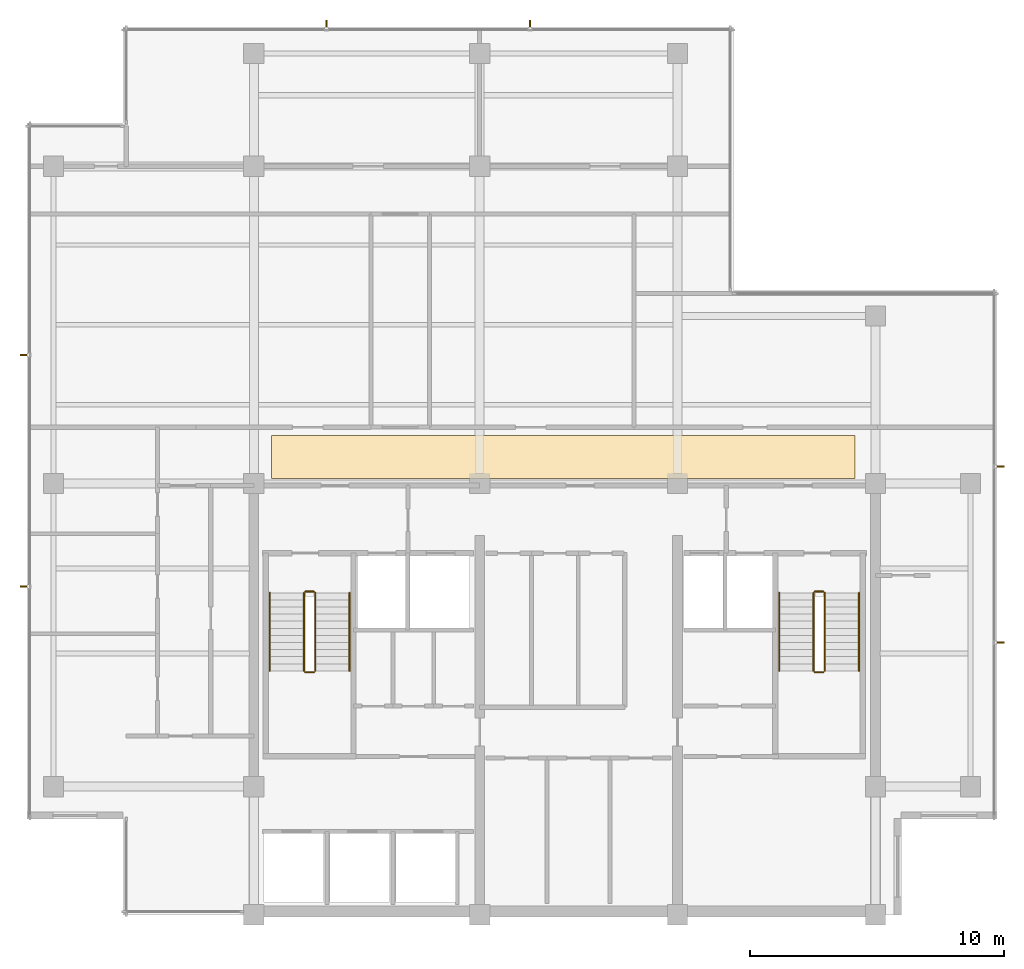
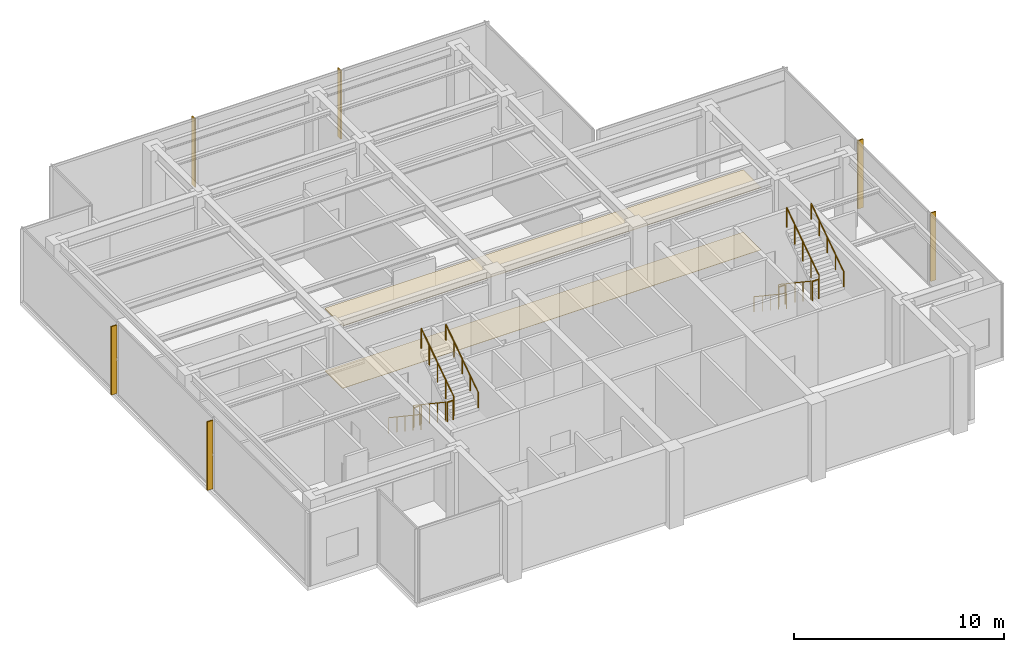
# One storey, part 11 of 11: 12 railings, 6 shading devices, 2 coverings.
"""IFC4 building model written with IfcOpenShell, lengths in metres."""

from ifc_helpers import new_model, si_unit, direction, frame, origin, origin_2d, place, context, subcontext, project, spatial, polyline, circle, outline, extrude, material, layer, layer_set, type_object, element, save


model = new_model("IFC4")

# Units and contexts
model_context = context("Model", 3, precision=1e-05, world=origin(), true_north=direction((0.0, 1.0)))
body_context = subcontext(model_context, "Body", "Model", "MODEL_VIEW")
ifc_project = project(units=[si_unit("LENGTHUNIT", "METRE"), si_unit("AREAUNIT", "SQUARE_METRE"), si_unit("VOLUMEUNIT", "CUBIC_METRE"), si_unit("PLANEANGLEUNIT", "RADIAN"), si_unit("MASSUNIT", "GRAM", prefix="KILO")], contexts=[model_context])

# Site, building, storey
site_placement = place(None, origin())
site = spatial("IfcSite", under=ifc_project, at=site_placement, CompositionType="ELEMENT")
building_placement = place(site_placement, origin())
building = spatial("IfcBuilding", under=site, at=building_placement, Name="Qalmaran Belvedere Hotel", CompositionType="ELEMENT")
storey_placement = place(building_placement, frame((0.0, 0.0, 280.89990234375)))
storey = spatial("IfcBuildingStorey", under=building, at=storey_placement, Name="L73", CompositionType="ELEMENT", Elevation=280.89990234375)

# Covering
ifc_material_1 = material(Name="Acoustic Mineral Ceiling")
ifc_layer_1 = layer(ifc_material_1, 0.0400390625, Name="Acoustic Mineral Ceiling")
ifc_layer_set_1 = layer_set([ifc_layer_1], Name="Acoustic Mineral Ceiling")
covering_type_1 = type_object("IfcCoveringType", Name="CLG-ACOUSTIC-40", PredefinedType="CEILING", material=ifc_layer_set_1)
covering_1_placement = place(storey_placement, frame((0.0, 0.0, 3.610107421875)))
element("IfcCovering", 1, at=covering_1_placement, inside=storey, type_object=covering_type_1, Name="L73 Acoustic Corridor Ceiling", PredefinedType="CEILING", context=body_context, shape_type="SweptSolid", body=[
    extrude(outline(polyline([(21.0, 20.699951171875), (44.0, 20.699951171875), (44.0, 22.39990234375), (21.0, 22.39990234375), (21.0, 20.699951171875)])), origin(), (0.0, 0.0, 1.0), 0.0400390625),
])

# Shading devices
ifc_material_2 = material(Name="Anodised Bronze Aluminium", Category="aluminium")
ifc_layer_2 = layer(ifc_material_2, 0.06494140625, Name="Anodised Bronze Aluminium")
ifc_layer_set_2 = layer_set([ifc_layer_2], Name="Anodised Bronze Aluminium")
shading_device_type = type_object("IfcShadingDeviceType", Name="FIN-BRNZ-300", PredefinedType="USERDEFINED", material=ifc_layer_set_2)
shading_device_1_placement = place(storey_placement, frame((0.0, 0.0, 0.16015625)))
element("IfcShadingDevice", 2, at=shading_device_1_placement, inside=storey, type_object=shading_device_type, Name="L73 Bronze Fin 1", ObjectType="FIN", PredefinedType="USERDEFINED", context=body_context, shape_type="SweptSolid", body=[
    extrude(outline(polyline([(49.5673828125, 14.20068359375), (49.867431640625, 14.20068359375), (49.867431640625, 14.265869140625), (49.5673828125, 14.265869140625), (49.5673828125, 14.20068359375)])), origin(), (0.0, 0.0, 1.0), 3.97998046875),
])
shading_device_2_placement = place(storey_placement, frame((0.0, 0.0, 0.16015625)))
element("IfcShadingDevice", 3, at=shading_device_2_placement, inside=storey, type_object=shading_device_type, Name="L73 Bronze Fin 2", ObjectType="FIN", PredefinedType="USERDEFINED", context=body_context, shape_type="SweptSolid", body=[
    extrude(outline(polyline([(49.5673828125, 21.13427734375), (49.867431640625, 21.13427734375), (49.867431640625, 21.19921875), (49.5673828125, 21.19921875), (49.5673828125, 21.13427734375)])), origin(), (0.0, 0.0, 1.0), 3.97998046875),
])
shading_device_3_placement = place(storey_placement, frame((0.0, 0.0, 0.16015625)))
element("IfcShadingDevice", 4, at=shading_device_3_placement, inside=storey, type_object=shading_device_type, Name="L73 Bronze Fin 1", ObjectType="FIN", PredefinedType="USERDEFINED", context=body_context, shape_type="SweptSolid", body=[
    extrude(outline(polyline([(31.2158203125, 38.467529296875), (31.2158203125, 38.767578125), (31.15087890625, 38.767578125), (31.15087890625, 38.467529296875), (31.2158203125, 38.467529296875)])), origin(), (0.0, 0.0, 1.0), 3.97998046875),
])
shading_device_4_placement = place(storey_placement, frame((0.0, 0.0, 0.16015625)))
element("IfcShadingDevice", 5, at=shading_device_4_placement, inside=storey, type_object=shading_device_type, Name="L73 Bronze Fin 2", ObjectType="FIN", PredefinedType="USERDEFINED", context=body_context, shape_type="SweptSolid", body=[
    extrude(outline(polyline([(23.19921875, 38.467529296875), (23.19921875, 38.767578125), (23.13427734375, 38.767578125), (23.13427734375, 38.467529296875), (23.19921875, 38.467529296875)])), origin(), (0.0, 0.0, 1.0), 3.97998046875),
])
shading_device_5_placement = place(storey_placement, frame((0.0, 0.0, 0.16015625)))
element("IfcShadingDevice", 6, at=shading_device_5_placement, inside=storey, type_object=shading_device_type, Name="L73 Bronze Fin 1", ObjectType="FIN", PredefinedType="USERDEFINED", context=body_context, shape_type="SweptSolid", body=[
    extrude(outline(polyline([(11.382568359375, 25.59912109375), (11.08251953125, 25.59912109375), (11.08251953125, 25.5341796875), (11.382568359375, 25.5341796875), (11.382568359375, 25.59912109375)])), origin(), (0.0, 0.0, 1.0), 3.97998046875),
])
shading_device_6_placement = place(storey_placement, frame((0.0, 0.0, 0.16015625)))
element("IfcShadingDevice", 7, at=shading_device_6_placement, inside=storey, type_object=shading_device_type, Name="L73 Bronze Fin 2", ObjectType="FIN", PredefinedType="USERDEFINED", context=body_context, shape_type="SweptSolid", body=[
    extrude(outline(polyline([(11.382568359375, 16.4658203125), (11.08251953125, 16.4658203125), (11.08251953125, 16.40087890625), (11.382568359375, 16.40087890625), (11.382568359375, 16.4658203125)])), origin(), (0.0, 0.0, 1.0), 3.97998046875),
])

# Covering
ifc_material_3 = material(Name="Polished Stone Terrazzo", Category="masonry")
ifc_layer_3 = layer(ifc_material_3, 0.01806640625, Name="Polished Stone Terrazzo")
ifc_layer_set_3 = layer_set([ifc_layer_3], Name="Polished Stone Terrazzo")
covering_type_2 = type_object("IfcCoveringType", Name="FIN-TERRAZZO-18", PredefinedType="FLOORING", material=ifc_layer_set_3)
covering_2_placement = place(storey_placement, frame((0.0, 0.0, 0.002197265625)))
element("IfcCovering", 8, at=covering_2_placement, inside=storey, type_object=covering_type_2, Name="L73 Limestone Corridor Flooring", PredefinedType="FLOORING", context=body_context, shape_type="SweptSolid", body=[
    extrude(outline(polyline([(21.0, 20.699951171875), (44.0, 20.699951171875), (44.0, 22.39990234375), (21.0, 22.39990234375), (21.0, 20.699951171875)])), origin(), (0.0, 0.0, 1.0), 0.017822265625),
])

# Railings
ifc_material_4 = material(Name="Stainless Steel 1.4401", Category="steel")
railing_type_1 = type_object("IfcRailingType", Name="RLG-STAIR-GUARD-1150", PredefinedType="GUARDRAIL", material=ifc_material_4)
railing_1_placement = place(storey_placement, frame((22.280029296875, 16.18994140625, 0.1875)))
element("IfcRailing", 9, at=railing_1_placement, inside=storey, type_object=railing_type_1, Name="L73 ST-1 stair guard 1", PredefinedType="GUARDRAIL", context=body_context, shape_type="SweptSolid", body=[
    extrude(circle(Radius=0.02392578125, at=origin_2d()), frame((0.0, 0.0, 1.1259765625), z_axis=(0.0, -0.830893310487, 0.556431762742), x_axis=(1.0, 0.0, 0.0)), (0.0, 0.0, 1.0), 3.70654296875),
    extrude(circle(Radius=0.02099609375, at=origin_2d()), origin(), (0.0, 0.0, 1.0), 1.101806640625),
    extrude(circle(Radius=0.02099609375, at=origin_2d()), frame((0.0, -0.77001953125, 0.515625)), (0.0, 0.0, 1.0), 1.101806640625),
    extrude(circle(Radius=0.02099609375, at=origin_2d()), frame((0.0, -1.5400390625, 1.03125)), (0.0, 0.0, 1.0), 1.101806640625),
    extrude(circle(Radius=0.02099609375, at=origin_2d()), frame((0.0, -2.309814453125, 1.546875)), (0.0, 0.0, 1.0), 1.101806640625),
    extrude(circle(Radius=0.02099609375, at=origin_2d()), frame((0.0, -3.079833984375, 2.0625)), (0.0, 0.0, 1.0), 1.101806640625),
])
railing_2_placement = place(storey_placement, frame((22.330078125, 13.06005859375, 2.25)))
element("IfcRailing", 10, at=railing_2_placement, inside=storey, type_object=railing_type_1, Name="L73 ST-1 stair guard 2", PredefinedType="GUARDRAIL", context=body_context, shape_type="SweptSolid", body=[
    extrude(circle(Radius=0.02392578125, at=origin_2d()), frame((0.0, 0.0, 1.1259765625), z_axis=(1.0, 0.0, 0.0), x_axis=(0.0, 1.0, 0.0)), (0.0, 0.0, 1.0), 0.33984375),
    extrude(circle(Radius=0.02099609375, at=origin_2d()), origin(), (0.0, 0.0, 1.0), 1.101806640625),
    extrude(circle(Radius=0.02099609375, at=origin_2d()), frame((0.33984375, 0.0, 0.0)), (0.0, 0.0, 1.0), 1.101806640625),
])
railing_3_placement = place(storey_placement, frame((22.719970703125, 13.110107421875, 2.4375)))
element("IfcRailing", 11, at=railing_3_placement, inside=storey, type_object=railing_type_1, Name="L73 ST-1 stair guard 3", PredefinedType="GUARDRAIL", context=body_context, shape_type="SweptSolid", body=[
    extrude(circle(Radius=0.02392578125, at=origin_2d()), frame((0.0, 0.0, 1.1259765625), z_axis=(0.0, 0.830893310487, 0.556431762742), x_axis=(-1.0, 0.0, 0.0)), (0.0, 0.0, 1.0), 3.70654296875),
    extrude(circle(Radius=0.02099609375, at=origin_2d()), origin(), (0.0, 0.0, 1.0), 1.101806640625),
    extrude(circle(Radius=0.02099609375, at=origin_2d()), frame((0.0, 0.77001953125, 0.515625)), (0.0, 0.0, 1.0), 1.101806640625),
    extrude(circle(Radius=0.02099609375, at=origin_2d()), frame((0.0, 1.5400390625, 1.03125)), (0.0, 0.0, 1.0), 1.101806640625),
    extrude(circle(Radius=0.02099609375, at=origin_2d()), frame((0.0, 2.309814453125, 1.546875)), (0.0, 0.0, 1.0), 1.101806640625),
    extrude(circle(Radius=0.02099609375, at=origin_2d()), frame((0.0, 3.079833984375, 2.0625)), (0.0, 0.0, 1.0), 1.101806640625),
])
railing_4_placement = place(storey_placement, frame((22.330078125, 16.239990234375, 0.0)))
element("IfcRailing", 12, at=railing_4_placement, inside=storey, type_object=railing_type_1, Name="L73 ST-1 stair guard 4", PredefinedType="GUARDRAIL", context=body_context, shape_type="SweptSolid", body=[
    extrude(circle(Radius=0.02392578125, at=origin_2d()), frame((0.0, 0.0, 1.1259765625), z_axis=(1.0, 0.0, 0.0), x_axis=(0.0, 1.0, 0.0)), (0.0, 0.0, 1.0), 0.33984375),
    extrude(circle(Radius=0.02099609375, at=origin_2d()), origin(), (0.0, 0.0, 1.0), 1.101806640625),
    extrude(circle(Radius=0.02099609375, at=origin_2d()), frame((0.33984375, 0.0, 0.0)), (0.0, 0.0, 1.0), 1.101806640625),
])
railing_5_placement = place(storey_placement, frame((42.360107421875, 16.18994140625, 0.1875)))
element("IfcRailing", 13, at=railing_5_placement, inside=storey, type_object=railing_type_1, Name="L73 ST-2 stair guard 1", PredefinedType="GUARDRAIL", context=body_context, shape_type="SweptSolid", body=[
    extrude(circle(Radius=0.02392578125, at=origin_2d()), frame((0.0, 0.0, 1.1259765625), z_axis=(0.0, -0.830893310487, 0.556431762742), x_axis=(1.0, 0.0, 0.0)), (0.0, 0.0, 1.0), 3.70654296875),
    extrude(circle(Radius=0.02099609375, at=origin_2d()), origin(), (0.0, 0.0, 1.0), 1.101806640625),
    extrude(circle(Radius=0.02099609375, at=origin_2d()), frame((0.0, -0.77001953125, 0.515625)), (0.0, 0.0, 1.0), 1.101806640625),
    extrude(circle(Radius=0.02099609375, at=origin_2d()), frame((0.0, -1.5400390625, 1.03125)), (0.0, 0.0, 1.0), 1.101806640625),
    extrude(circle(Radius=0.02099609375, at=origin_2d()), frame((0.0, -2.309814453125, 1.546875)), (0.0, 0.0, 1.0), 1.101806640625),
    extrude(circle(Radius=0.02099609375, at=origin_2d()), frame((0.0, -3.079833984375, 2.0625)), (0.0, 0.0, 1.0), 1.101806640625),
])
railing_6_placement = place(storey_placement, frame((42.409912109375, 13.06005859375, 2.25)))
element("IfcRailing", 14, at=railing_6_placement, inside=storey, type_object=railing_type_1, Name="L73 ST-2 stair guard 2", PredefinedType="GUARDRAIL", context=body_context, shape_type="SweptSolid", body=[
    extrude(circle(Radius=0.02392578125, at=origin_2d()), frame((0.0, 0.0, 1.1259765625), z_axis=(1.0, 0.0, 0.0), x_axis=(0.0, 1.0, 0.0)), (0.0, 0.0, 1.0), 0.340087890625),
    extrude(circle(Radius=0.02099609375, at=origin_2d()), origin(), (0.0, 0.0, 1.0), 1.101806640625),
    extrude(circle(Radius=0.02099609375, at=origin_2d()), frame((0.340087890625, 0.0, 0.0)), (0.0, 0.0, 1.0), 1.101806640625),
])
railing_7_placement = place(storey_placement, frame((42.800048828125, 13.110107421875, 2.4375)))
element("IfcRailing", 15, at=railing_7_placement, inside=storey, type_object=railing_type_1, Name="L73 ST-2 stair guard 3", PredefinedType="GUARDRAIL", context=body_context, shape_type="SweptSolid", body=[
    extrude(circle(Radius=0.02392578125, at=origin_2d()), frame((0.0, 0.0, 1.1259765625), z_axis=(0.0, 0.830893310487, 0.556431762742), x_axis=(-1.0, 0.0, 0.0)), (0.0, 0.0, 1.0), 3.70654296875),
    extrude(circle(Radius=0.02099609375, at=origin_2d()), origin(), (0.0, 0.0, 1.0), 1.101806640625),
    extrude(circle(Radius=0.02099609375, at=origin_2d()), frame((0.0, 0.77001953125, 0.515625)), (0.0, 0.0, 1.0), 1.101806640625),
    extrude(circle(Radius=0.02099609375, at=origin_2d()), frame((0.0, 1.5400390625, 1.03125)), (0.0, 0.0, 1.0), 1.101806640625),
    extrude(circle(Radius=0.02099609375, at=origin_2d()), frame((0.0, 2.309814453125, 1.546875)), (0.0, 0.0, 1.0), 1.101806640625),
    extrude(circle(Radius=0.02099609375, at=origin_2d()), frame((0.0, 3.079833984375, 2.0625)), (0.0, 0.0, 1.0), 1.101806640625),
])
railing_8_placement = place(storey_placement, frame((42.409912109375, 16.239990234375, 0.0)))
element("IfcRailing", 16, at=railing_8_placement, inside=storey, type_object=railing_type_1, Name="L73 ST-2 stair guard 4", PredefinedType="GUARDRAIL", context=body_context, shape_type="SweptSolid", body=[
    extrude(circle(Radius=0.02392578125, at=origin_2d()), frame((0.0, 0.0, 1.1259765625), z_axis=(1.0, 0.0, 0.0), x_axis=(0.0, 1.0, 0.0)), (0.0, 0.0, 1.0), 0.340087890625),
    extrude(circle(Radius=0.02099609375, at=origin_2d()), origin(), (0.0, 0.0, 1.0), 1.101806640625),
    extrude(circle(Radius=0.02099609375, at=origin_2d()), frame((0.340087890625, 0.0, 0.0)), (0.0, 0.0, 1.0), 1.101806640625),
])
railing_type_2 = type_object("IfcRailingType", Name="RLG-STAIR-HAND-910", PredefinedType="HANDRAIL", material=ifc_material_4)
railing_9_placement = place(storey_placement, frame((20.929931640625, 16.18994140625, 0.1875)))
element("IfcRailing", 17, at=railing_9_placement, inside=storey, type_object=railing_type_2, Name="L73 ST-1 stair handrail 1", PredefinedType="HANDRAIL", context=body_context, shape_type="SweptSolid", body=[
    extrude(circle(Radius=0.02392578125, at=origin_2d()), frame((0.0, 0.0, 0.8857421875), z_axis=(0.0, -0.830893310487, 0.556431762742), x_axis=(1.0, 0.0, 0.0)), (0.0, 0.0, 1.0), 3.70654296875),
    extrude(circle(Radius=0.02099609375, at=origin_2d()), origin(), (0.0, 0.0, 1.0), 0.86181640625),
    extrude(circle(Radius=0.02099609375, at=origin_2d()), frame((0.0, -0.77001953125, 0.515625)), (0.0, 0.0, 1.0), 0.86181640625),
    extrude(circle(Radius=0.02099609375, at=origin_2d()), frame((0.0, -1.5400390625, 1.03125)), (0.0, 0.0, 1.0), 0.86181640625),
    extrude(circle(Radius=0.02099609375, at=origin_2d()), frame((0.0, -2.309814453125, 1.546875)), (0.0, 0.0, 1.0), 0.86181640625),
    extrude(circle(Radius=0.02099609375, at=origin_2d()), frame((0.0, -3.079833984375, 2.0625)), (0.0, 0.0, 1.0), 0.86181640625),
])
railing_10_placement = place(storey_placement, frame((24.070068359375, 13.110107421875, 2.4375)))
element("IfcRailing", 18, at=railing_10_placement, inside=storey, type_object=railing_type_2, Name="L73 ST-1 stair handrail 2", PredefinedType="HANDRAIL", context=body_context, shape_type="SweptSolid", body=[
    extrude(circle(Radius=0.02392578125, at=origin_2d()), frame((0.0, 0.0, 0.8857421875), z_axis=(0.0, 0.830893310487, 0.556431762742), x_axis=(-1.0, 0.0, 0.0)), (0.0, 0.0, 1.0), 3.70654296875),
    extrude(circle(Radius=0.02099609375, at=origin_2d()), origin(), (0.0, 0.0, 1.0), 0.86181640625),
    extrude(circle(Radius=0.02099609375, at=origin_2d()), frame((0.0, 0.77001953125, 0.515625)), (0.0, 0.0, 1.0), 0.86181640625),
    extrude(circle(Radius=0.02099609375, at=origin_2d()), frame((0.0, 1.5400390625, 1.03125)), (0.0, 0.0, 1.0), 0.86181640625),
    extrude(circle(Radius=0.02099609375, at=origin_2d()), frame((0.0, 2.309814453125, 1.546875)), (0.0, 0.0, 1.0), 0.86181640625),
    extrude(circle(Radius=0.02099609375, at=origin_2d()), frame((0.0, 3.079833984375, 2.0625)), (0.0, 0.0, 1.0), 0.86181640625),
])
railing_11_placement = place(storey_placement, frame((41.010009765625, 16.18994140625, 0.1875)))
element("IfcRailing", 19, at=railing_11_placement, inside=storey, type_object=railing_type_2, Name="L73 ST-2 stair handrail 1", PredefinedType="HANDRAIL", context=body_context, shape_type="SweptSolid", body=[
    extrude(circle(Radius=0.02392578125, at=origin_2d()), frame((0.0, 0.0, 0.8857421875), z_axis=(0.0, -0.830893310487, 0.556431762742), x_axis=(1.0, 0.0, 0.0)), (0.0, 0.0, 1.0), 3.70654296875),
    extrude(circle(Radius=0.02099609375, at=origin_2d()), origin(), (0.0, 0.0, 1.0), 0.86181640625),
    extrude(circle(Radius=0.02099609375, at=origin_2d()), frame((0.0, -0.77001953125, 0.515625)), (0.0, 0.0, 1.0), 0.86181640625),
    extrude(circle(Radius=0.02099609375, at=origin_2d()), frame((0.0, -1.5400390625, 1.03125)), (0.0, 0.0, 1.0), 0.86181640625),
    extrude(circle(Radius=0.02099609375, at=origin_2d()), frame((0.0, -2.309814453125, 1.546875)), (0.0, 0.0, 1.0), 0.86181640625),
    extrude(circle(Radius=0.02099609375, at=origin_2d()), frame((0.0, -3.079833984375, 2.0625)), (0.0, 0.0, 1.0), 0.86181640625),
])
railing_12_placement = place(storey_placement, frame((44.14990234375, 13.110107421875, 2.4375)))
element("IfcRailing", 20, at=railing_12_placement, inside=storey, type_object=railing_type_2, Name="L73 ST-2 stair handrail 2", PredefinedType="HANDRAIL", context=body_context, shape_type="SweptSolid", body=[
    extrude(circle(Radius=0.02392578125, at=origin_2d()), frame((0.0, 0.0, 0.8857421875), z_axis=(0.0, 0.830893310487, 0.556431762742), x_axis=(-1.0, 0.0, 0.0)), (0.0, 0.0, 1.0), 3.70654296875),
    extrude(circle(Radius=0.02099609375, at=origin_2d()), origin(), (0.0, 0.0, 1.0), 0.86181640625),
    extrude(circle(Radius=0.02099609375, at=origin_2d()), frame((0.0, 0.77001953125, 0.515625)), (0.0, 0.0, 1.0), 0.86181640625),
    extrude(circle(Radius=0.02099609375, at=origin_2d()), frame((0.0, 1.5400390625, 1.03125)), (0.0, 0.0, 1.0), 0.86181640625),
    extrude(circle(Radius=0.02099609375, at=origin_2d()), frame((0.0, 2.309814453125, 1.546875)), (0.0, 0.0, 1.0), 0.86181640625),
    extrude(circle(Radius=0.02099609375, at=origin_2d()), frame((0.0, 3.079833984375, 2.0625)), (0.0, 0.0, 1.0), 0.86181640625),
])

save(model, "model.ifc")
